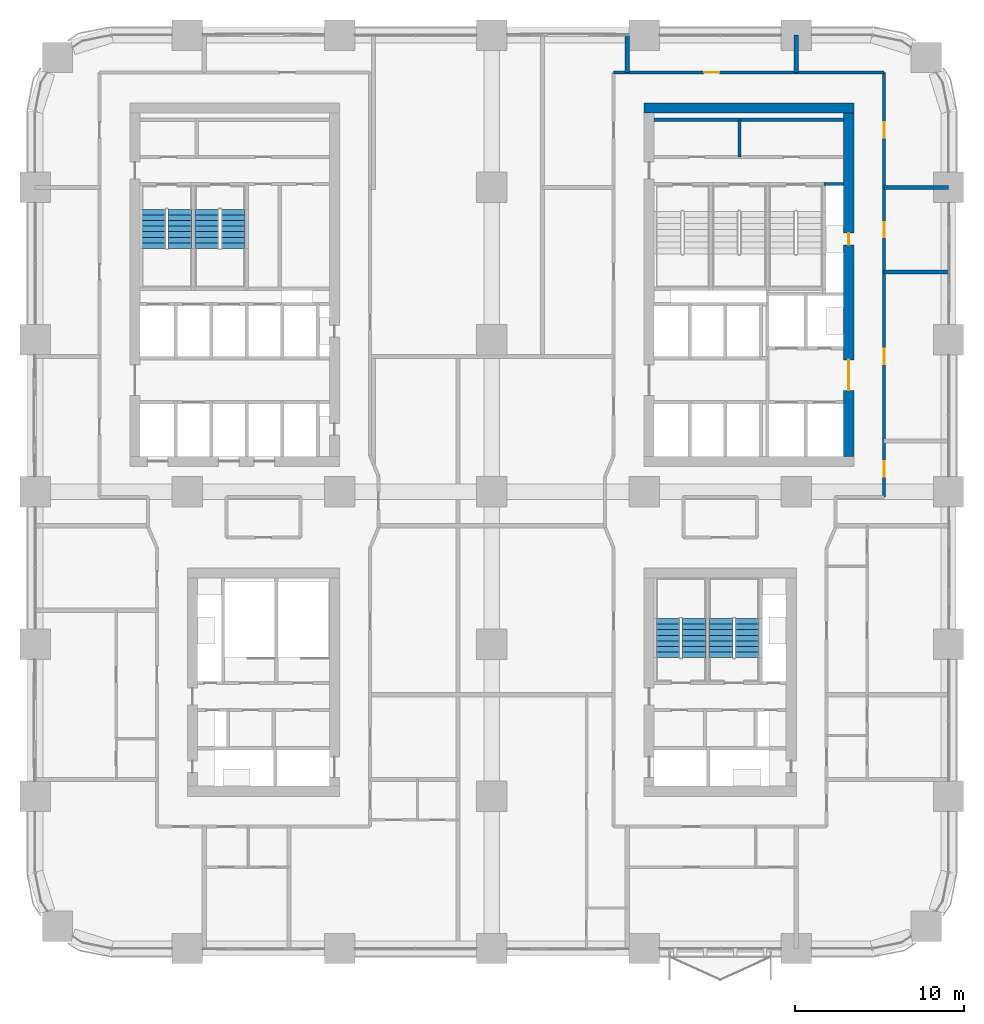
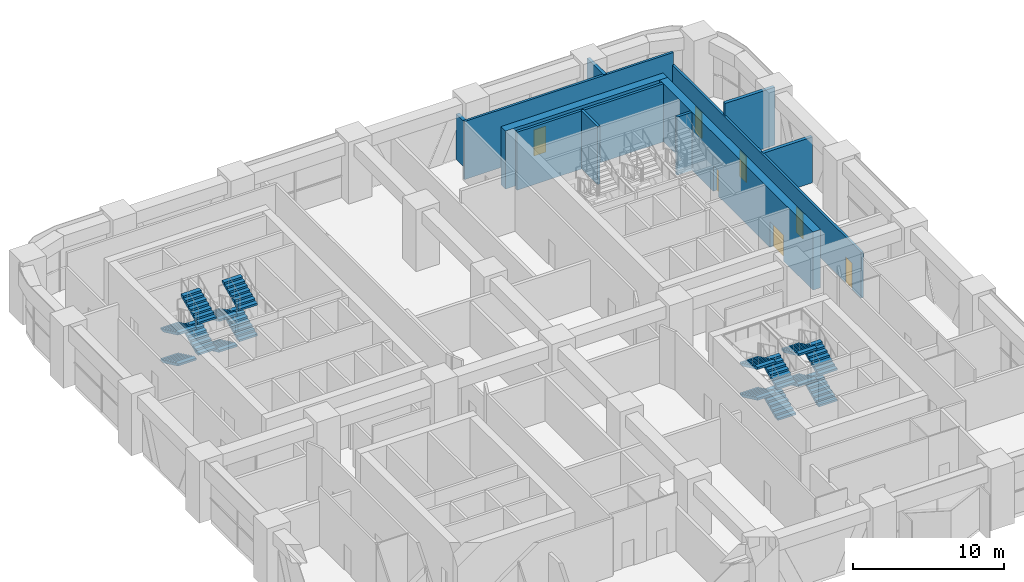
# One storey, part 21 of 26: 16 stair flights, 11 walls, 7 doors, 7 openings, 4 elements without a shape of their own.
"""IFC4 building model written with IfcOpenShell, lengths in metres."""

from ifc_helpers import new_model, si_unit, direction, frame, frame_2d, origin, place, context, subcontext, project, spatial, polyline, rectangle, outline, extrude, material, layer, layer_set, type_object, element, fill, aggregate, save


model = new_model("IFC4")

# Units and contexts
model_context = context("Model", 3, precision=1e-05, world=origin(), true_north=direction((0.0, 1.0)))
body_context = subcontext(model_context, "Body", "Model", "MODEL_VIEW")
ifc_project = project(units=[si_unit("LENGTHUNIT", "METRE"), si_unit("AREAUNIT", "SQUARE_METRE"), si_unit("VOLUMEUNIT", "CUBIC_METRE"), si_unit("PLANEANGLEUNIT", "RADIAN"), si_unit("MASSUNIT", "GRAM", prefix="KILO")], contexts=[model_context])

# Site, building, storey
site_placement = place(None, origin())
site = spatial("IfcSite", under=ifc_project, at=site_placement, CompositionType="ELEMENT")
building_placement = place(site_placement, origin())
building = spatial("IfcBuilding", under=site, at=building_placement, Name="Tessera Arch", CompositionType="ELEMENT")
storey_placement = place(building_placement, frame((0.0, 0.0, 72.800048828125)))
storey = spatial("IfcBuildingStorey", under=building, at=storey_placement, Name="L16", CompositionType="ELEMENT", Elevation=72.800048828125)

# Walls
ifc_material_1 = material(Name="Gypsum board on steel stud", Category="steel")
ifc_layer_1 = layer(ifc_material_1, 0.125)
ifc_layer_set_1 = layer_set([ifc_layer_1], Name="Core partition 125 EI 60")
wall_type_1 = type_object("IfcWallType", Name="Core partition 125 EI 60", PredefinedType="PARTITIONING", material=ifc_layer_set_1)
wall_1_placement = place(storey_placement, frame((41.639892578125, 46.800048828125, 0.0), z_axis=(0.0, 0.0, 1.0), x_axis=(0.0, 1.0, 0.0)))
element("IfcWall", 1, at=wall_1_placement, inside=storey, type_object=wall_type_1, Name="L16 C1 partition wall 8", PredefinedType="PARTITIONING", context=body_context, shape_type="SweptSolid", body=[
    extrude(rectangle(XDim=2.199951171875, YDim=0.199951171875, at=frame_2d((1.10009765625, 0.0))), origin(), (0.0, 0.0, 1.0), 4.699951171875),
])
wall_2_placement = place(storey_placement, frame((36.60009765625, 49.0, 0.0), z_axis=(0.0, 0.0, 1.0), x_axis=(1.0, 0.0, 0.0)))
element("IfcWall", 2, at=wall_2_placement, inside=storey, type_object=wall_type_1, Name="L16 C1 partition wall 39", PredefinedType="PARTITIONING", context=body_context, shape_type="SweptSolid", body=[
    extrude(rectangle(XDim=11.199951171875, YDim=0.199951171875, at=frame_2d((5.60009765625, 0.0))), origin(), (0.0, 0.0, 1.0), 4.699951171875),
])
ifc_material_2 = material(Name="Concrete C70/85", Category="concrete")
ifc_layer_2 = layer(ifc_material_2, 0.60009765625)
ifc_layer_set_2 = layer_set([ifc_layer_2], Name="Core shell wall 600 C70-85")
wall_type_2 = type_object("IfcWallType", Name="Core shell wall 600 C70-85", PredefinedType="SHEAR", material=ifc_layer_set_2)
wall_3_placement = place(storey_placement, frame((36.0, 49.699951171875, 0.0), z_axis=(0.0, 0.0, 1.0), x_axis=(1.0, 0.0, 0.0)))
element("IfcWall", 3, at=wall_3_placement, inside=storey, type_object=wall_type_2, Name="L16 C1 core wall N", PredefinedType="SHEAR", context=body_context, shape_type="SweptSolid", body=[
    extrude(rectangle(XDim=12.39990234375, YDim=0.60009765625, at=frame_2d((6.199951171875, 0.0))), origin(), (0.0, 0.0, 1.0), 4.699951171875),
])

# Wall, openings, doors
wall_4_placement = place(storey_placement, frame((48.10009765625, 29.10009765625, 0.0), z_axis=(0.0, 0.0, 1.0), x_axis=(0.0, 1.0, 0.0)))
wall_4 = element("IfcWall", 4, at=wall_4_placement, inside=storey, type_object=wall_type_2, Name="L16 C1 core wall E", PredefinedType="SHEAR", context=body_context, shape_type="SweptSolid", body=[
    extrude(rectangle(XDim=20.2998046875, YDim=0.60009765625, at=frame_2d((10.14990234375, 0.0))), origin(), (0.0, 0.0, 1.0), 4.699951171875),
])
opening_1_placement = place(wall_4_placement, frame((12.5, 0.0, 0.0)))
opening_1 = element("IfcOpeningElement", 5, at=opening_1_placement, cuts=wall_4, Name="Opening L16-C08", PredefinedType="OPENING", context=body_context, shape_type="SweptSolid", body=[
    extrude(rectangle(XDim=0.699951171875, YDim=2.10009765625, at=frame_2d((0.35009765625, 1.050048828125))), frame((0.0, 0.31005859375, 0.0), z_axis=(0.0, -1.0, 0.0), x_axis=(1.0, 0.0, 0.0)), (0.0, 0.0, 1.0), 0.6201171875),
])
opening_2_placement = place(wall_4_placement, frame((3.89990234375, 0.0, 0.0)))
opening_2 = element("IfcOpeningElement", 6, at=opening_2_placement, cuts=wall_4, Name="Opening L16-C09", PredefinedType="OPENING", context=body_context, shape_type="SweptSolid", body=[
    extrude(rectangle(XDim=1.800048828125, YDim=2.10009765625, at=frame_2d((0.89990234375, 1.050048828125))), frame((0.0, 0.31005859375, 0.0), z_axis=(0.0, -1.0, 0.0), x_axis=(1.0, 0.0, 0.0)), (0.0, 0.0, 1.0), 0.6201171875),
])
ifc_material_3 = material(Name="Glazed steel door leaf", Category="steel")
door_type_1 = type_object("IfcDoorType", Name="Lobby double door FD60 1800 x 2100", OperationType="DOUBLE_DOOR_SINGLE_SWING", PredefinedType="DOOR", material=ifc_material_3)
door_1_placement = place(opening_2_placement, origin())
door_1 = element("IfcDoor", 7, at=door_1_placement, inside=storey, type_object=door_type_1, Name="L16 C1 door 9 C09 type D19", OperationType="DOUBLE_DOOR_SINGLE_SWING", OverallHeight=2.10009765625, OverallWidth=1.800048828125, PredefinedType="DOOR", context=body_context, shape_type="SweptSolid", body=[
    extrude(rectangle(XDim=1.800048828125, YDim=2.10009765625, at=frame_2d((0.89990234375, 1.050048828125))), frame((0.0, 0.02490234375, 0.0), z_axis=(0.0, -1.0, 0.0), x_axis=(1.0, 0.0, 0.0)), (0.0, 0.0, 1.0), 0.050048828125),
])
fill(opening_2, door_1)
ifc_material_4 = material(Name="Steel door leaf", Category="steel")
door_type_2 = type_object("IfcDoorType", Name="Service shaft door FD60 700 x 2100", OperationType="SINGLE_SWING_LEFT", PredefinedType="DOOR", material=ifc_material_4)
door_2_placement = place(opening_1_placement, origin())
door_2 = element("IfcDoor", 8, at=door_2_placement, inside=storey, type_object=door_type_2, Name="L16 C1 door 8 C08 type D07", OperationType="SINGLE_SWING_RIGHT", OverallHeight=2.10009765625, OverallWidth=0.699951171875, PredefinedType="DOOR", context=body_context, shape_type="SweptSolid", body=[
    extrude(rectangle(XDim=0.699951171875, YDim=2.10009765625, at=frame_2d((0.35009765625, 1.050048828125))), frame((0.0, 0.02490234375, 0.0), z_axis=(0.0, -1.0, 0.0), x_axis=(1.0, 0.0, 0.0)), (0.0, 0.0, 1.0), 0.050048828125),
])
fill(opening_1, door_2)

# Wall, opening, door
ifc_material_5 = material(Name="Gypsum board on deep steel stud with mineral wool", Category="steel")
ifc_layer_3 = layer(ifc_material_5, 0.175048828125)
ifc_layer_set_3 = layer_set([ifc_layer_3], Name="Corridor wall 175 EI 60")
wall_type_3 = type_object("IfcWallType", Name="Corridor wall 175 EI 60", PredefinedType="PARTITIONING", material=ifc_layer_set_3)
wall_5_placement = place(storey_placement, frame((34.199951171875, 51.800048828125, 0.0), z_axis=(0.0, 0.0, 1.0), x_axis=(1.0, 0.0, 0.0)))
wall_5 = element("IfcWall", 9, at=wall_5_placement, inside=storey, type_object=wall_type_3, Name="L16 partition 10", PredefinedType="PARTITIONING", context=body_context, shape_type="SweptSolid", body=[
    extrude(rectangle(XDim=16.0, YDim=0.175048828125, at=frame_2d((8.0, 0.0))), origin(), (0.0, 0.0, 1.0), 4.699951171875),
])
opening_3_placement = place(wall_5_placement, frame((5.35009765625, 0.0, 0.0)))
opening_3 = element("IfcOpeningElement", 10, at=opening_3_placement, cuts=wall_5, Name="Opening L16-D043", PredefinedType="OPENING", context=body_context, shape_type="SweptSolid", body=[
    extrude(rectangle(XDim=0.89990234375, YDim=2.10009765625, at=frame_2d((0.449951171875, 1.050048828125))), frame((0.0, 0.097412109375, 0.0), z_axis=(0.0, -1.0, 0.0), x_axis=(1.0, 0.0, 0.0)), (0.0, 0.0, 1.0), 0.195068359375),
])
ifc_material_6 = material(Name="Timber door leaf", Category="wood")
door_type_3 = type_object("IfcDoorType", Name="Room door 900 x 2100", OperationType="SINGLE_SWING_LEFT", PredefinedType="DOOR", material=ifc_material_6)
door_3_placement = place(opening_3_placement, origin())
door_3 = element("IfcDoor", 11, at=door_3_placement, inside=storey, type_object=door_type_3, Name="L16 door D043 type D01", OperationType="SINGLE_SWING_LEFT", OverallHeight=2.10009765625, OverallWidth=0.89990234375, PredefinedType="DOOR", context=body_context, shape_type="SweptSolid", body=[
    extrude(rectangle(XDim=0.89990234375, YDim=2.10009765625, at=frame_2d((0.449951171875, 1.050048828125))), frame((0.0, 0.02490234375, 0.0), z_axis=(0.0, -1.0, 0.0), x_axis=(1.0, 0.0, 0.0)), (0.0, 0.0, 1.0), 0.050048828125),
])
fill(opening_3, door_3)

# Wall, openings, doors
wall_6_placement = place(storey_placement, frame((50.199951171875, 26.699951171875, 0.0), z_axis=(0.0, 0.0, 1.0), x_axis=(0.0, 1.0, 0.0)))
wall_6 = element("IfcWall", 12, at=wall_6_placement, inside=storey, type_object=wall_type_3, Name="L16 partition 26", PredefinedType="PARTITIONING", context=body_context, shape_type="SweptSolid", body=[
    extrude(rectangle(XDim=25.10009765625, YDim=0.175048828125, at=frame_2d((12.550048828125, 0.0))), origin(), (0.0, 0.0, 1.0), 3.699951171875),
])
opening_4_placement = place(wall_6_placement, frame((1.199951171875, 0.0, 0.0)))
opening_4 = element("IfcOpeningElement", 13, at=opening_4_placement, cuts=wall_6, Name="Opening L16-D030", PredefinedType="OPENING", context=body_context, shape_type="SweptSolid", body=[
    extrude(rectangle(XDim=0.89990234375, YDim=2.10009765625, at=frame_2d((0.449951171875, 1.050048828125))), frame((0.0, 0.097412109375, 0.0), z_axis=(0.0, -1.0, 0.0), x_axis=(1.0, 0.0, 0.0)), (0.0, 0.0, 1.0), 0.195068359375),
])
opening_5_placement = place(wall_6_placement, frame((7.85009765625, 0.0, 0.0)))
opening_5 = element("IfcOpeningElement", 14, at=opening_5_placement, cuts=wall_6, Name="Opening L16-D034", PredefinedType="OPENING", context=body_context, shape_type="SweptSolid", body=[
    extrude(rectangle(XDim=0.89990234375, YDim=2.10009765625, at=frame_2d((0.449951171875, 1.050048828125))), frame((0.0, 0.097412109375, 0.0), z_axis=(0.0, -1.0, 0.0), x_axis=(1.0, 0.0, 0.0)), (0.0, 0.0, 1.0), 0.195068359375),
])
opening_6_placement = place(wall_6_placement, frame((15.35009765625, 0.0, 0.0)))
opening_6 = element("IfcOpeningElement", 15, at=opening_6_placement, cuts=wall_6, Name="Opening L16-D037", PredefinedType="OPENING", context=body_context, shape_type="SweptSolid", body=[
    extrude(rectangle(XDim=0.89990234375, YDim=2.10009765625, at=frame_2d((0.449951171875, 1.050048828125))), frame((0.0, 0.097412109375, 0.0), z_axis=(0.0, -1.0, 0.0), x_axis=(1.0, 0.0, 0.0)), (0.0, 0.0, 1.0), 0.195068359375),
])
opening_7_placement = place(wall_6_placement, frame((21.25, 0.0, 0.0)))
opening_7 = element("IfcOpeningElement", 16, at=opening_7_placement, cuts=wall_6, Name="Opening L16-D040", PredefinedType="OPENING", context=body_context, shape_type="SweptSolid", body=[
    extrude(rectangle(XDim=0.89990234375, YDim=2.10009765625, at=frame_2d((0.449951171875, 1.050048828125))), frame((0.0, 0.097412109375, 0.0), z_axis=(0.0, -1.0, 0.0), x_axis=(1.0, 0.0, 0.0)), (0.0, 0.0, 1.0), 0.195068359375),
])
door_4_placement = place(opening_4_placement, origin())
door_4 = element("IfcDoor", 17, at=door_4_placement, inside=storey, type_object=door_type_3, Name="L16 door D030 type D01", OperationType="SINGLE_SWING_LEFT", OverallHeight=2.10009765625, OverallWidth=0.89990234375, PredefinedType="DOOR", context=body_context, shape_type="SweptSolid", body=[
    extrude(rectangle(XDim=0.89990234375, YDim=2.10009765625, at=frame_2d((0.449951171875, 1.050048828125))), frame((0.0, 0.02490234375, 0.0), z_axis=(0.0, -1.0, 0.0), x_axis=(1.0, 0.0, 0.0)), (0.0, 0.0, 1.0), 0.050048828125),
])
fill(opening_4, door_4)
door_5_placement = place(opening_5_placement, origin())
door_5 = element("IfcDoor", 18, at=door_5_placement, inside=storey, type_object=door_type_3, Name="L16 door D034 type D01", OperationType="SINGLE_SWING_LEFT", OverallHeight=2.10009765625, OverallWidth=0.89990234375, PredefinedType="DOOR", context=body_context, shape_type="SweptSolid", body=[
    extrude(rectangle(XDim=0.89990234375, YDim=2.10009765625, at=frame_2d((0.449951171875, 1.050048828125))), frame((0.0, 0.02490234375, 0.0), z_axis=(0.0, -1.0, 0.0), x_axis=(1.0, 0.0, 0.0)), (0.0, 0.0, 1.0), 0.050048828125),
])
fill(opening_5, door_5)
door_6_placement = place(opening_6_placement, origin())
door_6 = element("IfcDoor", 19, at=door_6_placement, inside=storey, type_object=door_type_3, Name="L16 door D037 type D01", OperationType="SINGLE_SWING_RIGHT", OverallHeight=2.10009765625, OverallWidth=0.89990234375, PredefinedType="DOOR", context=body_context, shape_type="SweptSolid", body=[
    extrude(rectangle(XDim=0.89990234375, YDim=2.10009765625, at=frame_2d((0.449951171875, 1.050048828125))), frame((0.0, 0.02490234375, 0.0), z_axis=(0.0, -1.0, 0.0), x_axis=(1.0, 0.0, 0.0)), (0.0, 0.0, 1.0), 0.050048828125),
])
fill(opening_6, door_6)
door_7_placement = place(opening_7_placement, origin())
door_7 = element("IfcDoor", 20, at=door_7_placement, inside=storey, type_object=door_type_3, Name="L16 door D040 type D01", OperationType="SINGLE_SWING_LEFT", OverallHeight=2.10009765625, OverallWidth=0.89990234375, PredefinedType="DOOR", context=body_context, shape_type="SweptSolid", body=[
    extrude(rectangle(XDim=0.89990234375, YDim=2.10009765625, at=frame_2d((0.449951171875, 1.050048828125))), frame((0.0, 0.02490234375, 0.0), z_axis=(0.0, -1.0, 0.0), x_axis=(1.0, 0.0, 0.0)), (0.0, 0.0, 1.0), 0.050048828125),
])
fill(opening_7, door_7)

# Walls
ifc_material_7 = material(Name="Double gypsum board on twin steel stud with acoustic mineral wool", Category="steel")
ifc_layer_4 = layer(ifc_material_7, 0.25)
ifc_layer_set_4 = layer_set([ifc_layer_4], Name="Party wall 250 EI 60")
wall_type_4 = type_object("IfcWallType", Name="Party wall 250 EI 60", PredefinedType="PARTITIONING", material=ifc_layer_set_4)
wall_7_placement = place(storey_placement, frame((50.199951171875, 40.0, 0.0), z_axis=(0.0, 0.0, 1.0), x_axis=(1.0, 0.0, 0.0)))
element("IfcWall", 21, at=wall_7_placement, inside=storey, type_object=wall_type_4, Name="L16 partition 46", PredefinedType="PARTITIONING", context=body_context, shape_type="SweptSolid", body=[
    extrude(rectangle(XDim=3.800048828125, YDim=0.25, at=frame_2d((1.89990234375, 0.0))), origin(), (0.0, 0.0, 1.0), 3.699951171875),
])
wall_8_placement = place(storey_placement, frame((50.199951171875, 45.0, 0.0), z_axis=(0.0, 0.0, 1.0), x_axis=(1.0, 0.0, 0.0)))
element("IfcWall", 22, at=wall_8_placement, inside=storey, type_object=wall_type_4, Name="L16 partition 50", PredefinedType="PARTITIONING", context=body_context, shape_type="SweptSolid", body=[
    extrude(rectangle(XDim=3.800048828125, YDim=0.25, at=frame_2d((1.89990234375, 0.0))), origin(), (0.0, 0.0, 1.0), 4.699951171875),
])
wall_9_placement = place(storey_placement, frame((35.0, 51.800048828125, 0.0), z_axis=(0.0, 0.0, 1.0), x_axis=(0.0, 1.0, 0.0)))
element("IfcWall", 23, at=wall_9_placement, inside=storey, type_object=wall_type_4, Name="L16 partition 59", PredefinedType="PARTITIONING", context=body_context, shape_type="SweptSolid", body=[
    extrude(rectangle(XDim=2.199951171875, YDim=0.25, at=frame_2d((1.10009765625, 0.0))), origin(), (0.0, 0.0, 1.0), 3.699951171875),
])
wall_10_placement = place(storey_placement, frame((45.0, 51.800048828125, 0.0), z_axis=(0.0, 0.0, 1.0), x_axis=(0.0, 1.0, 0.0)))
element("IfcWall", 24, at=wall_10_placement, inside=storey, type_object=wall_type_4, Name="L16 partition 61", PredefinedType="PARTITIONING", context=body_context, shape_type="SweptSolid", body=[
    extrude(rectangle(XDim=2.199951171875, YDim=0.25, at=frame_2d((1.10009765625, 0.0))), origin(), (0.0, 0.0, 1.0), 4.699951171875),
])
ifc_material_8 = material(Name="Concrete C40/50", Category="concrete")
ifc_layer_5 = layer(ifc_material_8, 0.199951171875)
ifc_layer_set_5 = layer_set([ifc_layer_5], Name="Shaft wall 200 EI 120")
wall_type_5 = type_object("IfcWallType", Name="Shaft wall 200 EI 120", PredefinedType="SOLIDWALL", material=ifc_layer_set_5)
wall_11_placement = place(storey_placement, frame((46.64990234375, 45.199951171875, 0.0), z_axis=(0.0, 0.0, 1.0), x_axis=(1.0, 0.0, 0.0)))
element("IfcWall", 25, at=wall_11_placement, inside=storey, type_object=wall_type_5, Name="L16 C1 shaft wall 32", PredefinedType="SOLIDWALL", context=body_context, shape_type="SweptSolid", body=[
    extrude(rectangle(XDim=1.150146484375, YDim=0.199951171875, at=frame_2d((0.5751953125, 0.0))), origin(), (0.0, 0.0, 1.0), 4.699951171875),
])

# Stair, stair flights
ifc_material_9 = material(Name="Concrete C40/50", Category="concrete")
stair_type = type_object("IfcStairType", Name="Dogleg stair 1400", PredefinedType="HALF_TURN_STAIR", material=ifc_material_9)
stair_1_placement = place(storey_placement, origin())
stair_1 = element("IfcStair", 26, at=stair_1_placement, inside=storey, type_object=stair_type, Name="L16 S2a", PredefinedType="HALF_TURN_STAIR")
ifc_material_10 = material(Name="Concrete C40/50", Category="concrete")
stair_flight_type = type_object("IfcStairFlightType", Name="Stair flight 1400", PredefinedType="STRAIGHT", material=ifc_material_10)
stair_flight_1_placement = place(storey_placement, frame((7.0, 43.699951171875, 0.0), z_axis=(0.0, 0.0, 1.0), x_axis=(0.0, -1.0, 0.0)))
stair_flight_1 = element("IfcStairFlight", 27, at=stair_flight_1_placement, type_object=stair_flight_type, Name="S2a flight 1", NumberOfRisers=8, NumberOfTreads=7, PredefinedType="STRAIGHT", RiserHeight=0.15625, TreadLength=0.33, context=body_context, shape_type="SweptSolid", body=[
    extrude(outline(polyline([(0.0, 0.0), (0.0, 0.15625), (0.330078125, 0.15625), (0.330078125, 0.3125), (0.659912109375, 0.3125), (0.659912109375, 0.46875), (0.989990234375, 0.46875), (0.989990234375, 0.625), (1.320068359375, 0.625), (1.320068359375, 0.78125), (1.64990234375, 0.78125), (1.64990234375, 0.9375), (1.97998046875, 0.9375), (1.97998046875, 1.09375), (2.31005859375, 1.09375), (2.31005859375, 1.25), (2.31005859375, 0.927978515625), (0.350341796875, 0.0), (0.0, 0.0)])), frame((0.0, 0.699951171875, 0.0), z_axis=(0.0, -1.0, 0.0), x_axis=(1.0, 0.0, 0.0)), (0.0, 0.0, 1.0), 1.39990234375),
])
stair_flight_2_placement = place(storey_placement, frame((8.550048828125, 41.389892578125, 1.25), z_axis=(0.0, 0.0, 1.0), x_axis=(0.0, 1.0, 0.0)))
stair_flight_2 = element("IfcStairFlight", 28, at=stair_flight_2_placement, type_object=stair_flight_type, Name="S2a flight 2", NumberOfRisers=8, NumberOfTreads=7, PredefinedType="STRAIGHT", RiserHeight=0.15625, TreadLength=0.33, context=body_context, shape_type="SweptSolid", body=[
    extrude(outline(polyline([(0.0, 0.0), (0.0, 0.15625), (0.330078125, 0.15625), (0.330078125, 0.3125), (0.659912109375, 0.3125), (0.659912109375, 0.46875), (0.989990234375, 0.46875), (0.989990234375, 0.625), (1.320068359375, 0.625), (1.320068359375, 0.78125), (1.64990234375, 0.78125), (1.64990234375, 0.9375), (1.97998046875, 0.9375), (1.97998046875, 1.09375), (2.31005859375, 1.09375), (2.31005859375, 1.25), (2.31005859375, 0.927978515625), (0.350341796875, 0.0), (0.0, 0.0)])), frame((0.0, 0.699951171875, 0.0), z_axis=(0.0, -1.0, 0.0), x_axis=(1.0, 0.0, 0.0)), (0.0, 0.0, 1.0), 1.39990234375),
])
stair_flight_3_placement = place(storey_placement, frame((7.0, 43.699951171875, 2.5), z_axis=(0.0, 0.0, 1.0), x_axis=(0.0, -1.0, 0.0)))
stair_flight_3 = element("IfcStairFlight", 29, at=stair_flight_3_placement, type_object=stair_flight_type, Name="S2a flight 3", NumberOfRisers=8, NumberOfTreads=7, PredefinedType="STRAIGHT", RiserHeight=0.15625, TreadLength=0.33, context=body_context, shape_type="SweptSolid", body=[
    extrude(outline(polyline([(0.0, 0.0), (0.0, 0.15625), (0.330078125, 0.15625), (0.330078125, 0.3125), (0.659912109375, 0.3125), (0.659912109375, 0.46875), (0.989990234375, 0.46875), (0.989990234375, 0.625), (1.320068359375, 0.625), (1.320068359375, 0.78125), (1.64990234375, 0.78125), (1.64990234375, 0.9375), (1.97998046875, 0.9375), (1.97998046875, 1.09375), (2.31005859375, 1.09375), (2.31005859375, 1.25), (2.31005859375, 0.927978515625), (0.350341796875, 0.0), (0.0, 0.0)])), frame((0.0, 0.699951171875, 0.0), z_axis=(0.0, -1.0, 0.0), x_axis=(1.0, 0.0, 0.0)), (0.0, 0.0, 1.0), 1.39990234375),
])
stair_flight_4_placement = place(storey_placement, frame((8.550048828125, 41.389892578125, 3.75), z_axis=(0.0, 0.0, 1.0), x_axis=(0.0, 1.0, 0.0)))
stair_flight_4 = element("IfcStairFlight", 30, at=stair_flight_4_placement, type_object=stair_flight_type, Name="S2a flight 4", NumberOfRisers=8, NumberOfTreads=7, PredefinedType="STRAIGHT", RiserHeight=0.15625, TreadLength=0.33, context=body_context, shape_type="SweptSolid", body=[
    extrude(outline(polyline([(0.0, 0.0), (0.0, 0.15625), (0.330078125, 0.15625), (0.330078125, 0.3125), (0.659912109375, 0.3125), (0.659912109375, 0.46875), (0.989990234375, 0.46875), (0.989990234375, 0.625), (1.320068359375, 0.625), (1.320068359375, 0.78125), (1.64990234375, 0.78125), (1.64990234375, 0.9375), (1.97998046875, 0.9375), (1.97998046875, 1.09375), (2.31005859375, 1.09375), (2.31005859375, 1.25), (2.31005859375, 0.927978515625), (0.350341796875, 0.0), (0.0, 0.0)])), frame((0.0, 0.699951171875, 0.0), z_axis=(0.0, -1.0, 0.0), x_axis=(1.0, 0.0, 0.0)), (0.0, 0.0, 1.0), 1.39990234375),
])
aggregate(stair_1, [stair_flight_1, stair_flight_2, stair_flight_3, stair_flight_4])

stair_2_placement = place(storey_placement, origin())
stair_2 = element("IfcStair", 31, at=stair_2_placement, inside=storey, type_object=stair_type, Name="L16 S2b", PredefinedType="HALF_TURN_STAIR")
stair_flight_5_placement = place(storey_placement, frame((10.14990234375, 43.699951171875, 0.0), z_axis=(0.0, 0.0, 1.0), x_axis=(0.0, -1.0, 0.0)))
stair_flight_5 = element("IfcStairFlight", 32, at=stair_flight_5_placement, type_object=stair_flight_type, Name="S2b flight 1", NumberOfRisers=8, NumberOfTreads=7, PredefinedType="STRAIGHT", RiserHeight=0.15625, TreadLength=0.33, context=body_context, shape_type="SweptSolid", body=[
    extrude(outline(polyline([(0.0, 0.0), (0.0, 0.15625), (0.330078125, 0.15625), (0.330078125, 0.3125), (0.659912109375, 0.3125), (0.659912109375, 0.46875), (0.989990234375, 0.46875), (0.989990234375, 0.625), (1.320068359375, 0.625), (1.320068359375, 0.78125), (1.64990234375, 0.78125), (1.64990234375, 0.9375), (1.97998046875, 0.9375), (1.97998046875, 1.09375), (2.31005859375, 1.09375), (2.31005859375, 1.25), (2.31005859375, 0.927978515625), (0.350341796875, 0.0), (0.0, 0.0)])), frame((0.0, 0.699951171875, 0.0), z_axis=(0.0, -1.0, 0.0), x_axis=(1.0, 0.0, 0.0)), (0.0, 0.0, 1.0), 1.39990234375),
])
stair_flight_6_placement = place(storey_placement, frame((11.699951171875, 41.389892578125, 1.25), z_axis=(0.0, 0.0, 1.0), x_axis=(0.0, 1.0, 0.0)))
stair_flight_6 = element("IfcStairFlight", 33, at=stair_flight_6_placement, type_object=stair_flight_type, Name="S2b flight 2", NumberOfRisers=8, NumberOfTreads=7, PredefinedType="STRAIGHT", RiserHeight=0.15625, TreadLength=0.33, context=body_context, shape_type="SweptSolid", body=[
    extrude(outline(polyline([(0.0, 0.0), (0.0, 0.15625), (0.330078125, 0.15625), (0.330078125, 0.3125), (0.659912109375, 0.3125), (0.659912109375, 0.46875), (0.989990234375, 0.46875), (0.989990234375, 0.625), (1.320068359375, 0.625), (1.320068359375, 0.78125), (1.64990234375, 0.78125), (1.64990234375, 0.9375), (1.97998046875, 0.9375), (1.97998046875, 1.09375), (2.31005859375, 1.09375), (2.31005859375, 1.25), (2.31005859375, 0.927978515625), (0.350341796875, 0.0), (0.0, 0.0)])), frame((0.0, 0.699951171875, 0.0), z_axis=(0.0, -1.0, 0.0), x_axis=(1.0, 0.0, 0.0)), (0.0, 0.0, 1.0), 1.39990234375),
])
stair_flight_7_placement = place(storey_placement, frame((10.14990234375, 43.699951171875, 2.5), z_axis=(0.0, 0.0, 1.0), x_axis=(0.0, -1.0, 0.0)))
stair_flight_7 = element("IfcStairFlight", 34, at=stair_flight_7_placement, type_object=stair_flight_type, Name="S2b flight 3", NumberOfRisers=8, NumberOfTreads=7, PredefinedType="STRAIGHT", RiserHeight=0.15625, TreadLength=0.33, context=body_context, shape_type="SweptSolid", body=[
    extrude(outline(polyline([(0.0, 0.0), (0.0, 0.15625), (0.330078125, 0.15625), (0.330078125, 0.3125), (0.659912109375, 0.3125), (0.659912109375, 0.46875), (0.989990234375, 0.46875), (0.989990234375, 0.625), (1.320068359375, 0.625), (1.320068359375, 0.78125), (1.64990234375, 0.78125), (1.64990234375, 0.9375), (1.97998046875, 0.9375), (1.97998046875, 1.09375), (2.31005859375, 1.09375), (2.31005859375, 1.25), (2.31005859375, 0.927978515625), (0.350341796875, 0.0), (0.0, 0.0)])), frame((0.0, 0.699951171875, 0.0), z_axis=(0.0, -1.0, 0.0), x_axis=(1.0, 0.0, 0.0)), (0.0, 0.0, 1.0), 1.39990234375),
])
stair_flight_8_placement = place(storey_placement, frame((11.699951171875, 41.389892578125, 3.75), z_axis=(0.0, 0.0, 1.0), x_axis=(0.0, 1.0, 0.0)))
stair_flight_8 = element("IfcStairFlight", 35, at=stair_flight_8_placement, type_object=stair_flight_type, Name="S2b flight 4", NumberOfRisers=8, NumberOfTreads=7, PredefinedType="STRAIGHT", RiserHeight=0.15625, TreadLength=0.33, context=body_context, shape_type="SweptSolid", body=[
    extrude(outline(polyline([(0.0, 0.0), (0.0, 0.15625), (0.330078125, 0.15625), (0.330078125, 0.3125), (0.659912109375, 0.3125), (0.659912109375, 0.46875), (0.989990234375, 0.46875), (0.989990234375, 0.625), (1.320068359375, 0.625), (1.320068359375, 0.78125), (1.64990234375, 0.78125), (1.64990234375, 0.9375), (1.97998046875, 0.9375), (1.97998046875, 1.09375), (2.31005859375, 1.09375), (2.31005859375, 1.25), (2.31005859375, 0.927978515625), (0.350341796875, 0.0), (0.0, 0.0)])), frame((0.0, 0.699951171875, 0.0), z_axis=(0.0, -1.0, 0.0), x_axis=(1.0, 0.0, 0.0)), (0.0, 0.0, 1.0), 1.39990234375),
])
aggregate(stair_2, [stair_flight_5, stair_flight_6, stair_flight_7, stair_flight_8])

stair_3_placement = place(storey_placement, origin())
stair_3 = element("IfcStair", 36, at=stair_3_placement, inside=storey, type_object=stair_type, Name="L16 S3a", PredefinedType="HALF_TURN_STAIR")
stair_flight_9_placement = place(storey_placement, frame((38.949951171875, 17.199951171875, 0.0), z_axis=(0.0, 0.0, 1.0), x_axis=(0.0, 1.0, 0.0)))
stair_flight_9 = element("IfcStairFlight", 37, at=stair_flight_9_placement, type_object=stair_flight_type, Name="S3a flight 1", NumberOfRisers=8, NumberOfTreads=7, PredefinedType="STRAIGHT", RiserHeight=0.15625, TreadLength=0.33, context=body_context, shape_type="SweptSolid", body=[
    extrude(outline(polyline([(0.0, 0.0), (0.0, 0.15625), (0.330078125, 0.15625), (0.330078125, 0.3125), (0.659912109375, 0.3125), (0.659912109375, 0.46875), (0.989990234375, 0.46875), (0.989990234375, 0.625), (1.320068359375, 0.625), (1.320068359375, 0.78125), (1.64990234375, 0.78125), (1.64990234375, 0.9375), (1.97998046875, 0.9375), (1.97998046875, 1.09375), (2.31005859375, 1.09375), (2.31005859375, 1.25), (2.31005859375, 0.927978515625), (0.350341796875, 0.0), (0.0, 0.0)])), frame((0.0, 0.699951171875, 0.0), z_axis=(0.0, -1.0, 0.0), x_axis=(1.0, 0.0, 0.0)), (0.0, 0.0, 1.0), 1.39990234375),
])
stair_flight_10_placement = place(storey_placement, frame((37.39990234375, 19.510009765625, 1.25), z_axis=(0.0, 0.0, 1.0), x_axis=(0.0, -1.0, 0.0)))
stair_flight_10 = element("IfcStairFlight", 38, at=stair_flight_10_placement, type_object=stair_flight_type, Name="S3a flight 2", NumberOfRisers=8, NumberOfTreads=7, PredefinedType="STRAIGHT", RiserHeight=0.15625, TreadLength=0.33, context=body_context, shape_type="SweptSolid", body=[
    extrude(outline(polyline([(0.0, 0.0), (0.0, 0.15625), (0.330078125, 0.15625), (0.330078125, 0.3125), (0.659912109375, 0.3125), (0.659912109375, 0.46875), (0.989990234375, 0.46875), (0.989990234375, 0.625), (1.320068359375, 0.625), (1.320068359375, 0.78125), (1.64990234375, 0.78125), (1.64990234375, 0.9375), (1.97998046875, 0.9375), (1.97998046875, 1.09375), (2.31005859375, 1.09375), (2.31005859375, 1.25), (2.31005859375, 0.927978515625), (0.350341796875, 0.0), (0.0, 0.0)])), frame((0.0, 0.699951171875, 0.0), z_axis=(0.0, -1.0, 0.0), x_axis=(1.0, 0.0, 0.0)), (0.0, 0.0, 1.0), 1.39990234375),
])
stair_flight_11_placement = place(storey_placement, frame((38.949951171875, 17.199951171875, 2.5), z_axis=(0.0, 0.0, 1.0), x_axis=(0.0, 1.0, 0.0)))
stair_flight_11 = element("IfcStairFlight", 39, at=stair_flight_11_placement, type_object=stair_flight_type, Name="S3a flight 3", NumberOfRisers=8, NumberOfTreads=7, PredefinedType="STRAIGHT", RiserHeight=0.15625, TreadLength=0.33, context=body_context, shape_type="SweptSolid", body=[
    extrude(outline(polyline([(0.0, 0.0), (0.0, 0.15625), (0.330078125, 0.15625), (0.330078125, 0.3125), (0.659912109375, 0.3125), (0.659912109375, 0.46875), (0.989990234375, 0.46875), (0.989990234375, 0.625), (1.320068359375, 0.625), (1.320068359375, 0.78125), (1.64990234375, 0.78125), (1.64990234375, 0.9375), (1.97998046875, 0.9375), (1.97998046875, 1.09375), (2.31005859375, 1.09375), (2.31005859375, 1.25), (2.31005859375, 0.927978515625), (0.350341796875, 0.0), (0.0, 0.0)])), frame((0.0, 0.699951171875, 0.0), z_axis=(0.0, -1.0, 0.0), x_axis=(1.0, 0.0, 0.0)), (0.0, 0.0, 1.0), 1.39990234375),
])
stair_flight_12_placement = place(storey_placement, frame((37.39990234375, 19.510009765625, 3.75), z_axis=(0.0, 0.0, 1.0), x_axis=(0.0, -1.0, 0.0)))
stair_flight_12 = element("IfcStairFlight", 40, at=stair_flight_12_placement, type_object=stair_flight_type, Name="S3a flight 4", NumberOfRisers=8, NumberOfTreads=7, PredefinedType="STRAIGHT", RiserHeight=0.15625, TreadLength=0.33, context=body_context, shape_type="SweptSolid", body=[
    extrude(outline(polyline([(0.0, 0.0), (0.0, 0.15625), (0.330078125, 0.15625), (0.330078125, 0.3125), (0.659912109375, 0.3125), (0.659912109375, 0.46875), (0.989990234375, 0.46875), (0.989990234375, 0.625), (1.320068359375, 0.625), (1.320068359375, 0.78125), (1.64990234375, 0.78125), (1.64990234375, 0.9375), (1.97998046875, 0.9375), (1.97998046875, 1.09375), (2.31005859375, 1.09375), (2.31005859375, 1.25), (2.31005859375, 0.927978515625), (0.350341796875, 0.0), (0.0, 0.0)])), frame((0.0, 0.699951171875, 0.0), z_axis=(0.0, -1.0, 0.0), x_axis=(1.0, 0.0, 0.0)), (0.0, 0.0, 1.0), 1.39990234375),
])
aggregate(stair_3, [stair_flight_9, stair_flight_10, stair_flight_11, stair_flight_12])

stair_4_placement = place(storey_placement, origin())
stair_4 = element("IfcStair", 41, at=stair_4_placement, inside=storey, type_object=stair_type, Name="L16 S3b", PredefinedType="HALF_TURN_STAIR")
stair_flight_13_placement = place(storey_placement, frame((42.10009765625, 17.199951171875, 0.0), z_axis=(0.0, 0.0, 1.0), x_axis=(0.0, 1.0, 0.0)))
stair_flight_13 = element("IfcStairFlight", 42, at=stair_flight_13_placement, type_object=stair_flight_type, Name="S3b flight 1", NumberOfRisers=8, NumberOfTreads=7, PredefinedType="STRAIGHT", RiserHeight=0.15625, TreadLength=0.33, context=body_context, shape_type="SweptSolid", body=[
    extrude(outline(polyline([(0.0, 0.0), (0.0, 0.15625), (0.330078125, 0.15625), (0.330078125, 0.3125), (0.659912109375, 0.3125), (0.659912109375, 0.46875), (0.989990234375, 0.46875), (0.989990234375, 0.625), (1.320068359375, 0.625), (1.320068359375, 0.78125), (1.64990234375, 0.78125), (1.64990234375, 0.9375), (1.97998046875, 0.9375), (1.97998046875, 1.09375), (2.31005859375, 1.09375), (2.31005859375, 1.25), (2.31005859375, 0.927978515625), (0.350341796875, 0.0), (0.0, 0.0)])), frame((0.0, 0.699951171875, 0.0), z_axis=(0.0, -1.0, 0.0), x_axis=(1.0, 0.0, 0.0)), (0.0, 0.0, 1.0), 1.39990234375),
])
stair_flight_14_placement = place(storey_placement, frame((40.550048828125, 19.510009765625, 1.25), z_axis=(0.0, 0.0, 1.0), x_axis=(0.0, -1.0, 0.0)))
stair_flight_14 = element("IfcStairFlight", 43, at=stair_flight_14_placement, type_object=stair_flight_type, Name="S3b flight 2", NumberOfRisers=8, NumberOfTreads=7, PredefinedType="STRAIGHT", RiserHeight=0.15625, TreadLength=0.33, context=body_context, shape_type="SweptSolid", body=[
    extrude(outline(polyline([(0.0, 0.0), (0.0, 0.15625), (0.330078125, 0.15625), (0.330078125, 0.3125), (0.659912109375, 0.3125), (0.659912109375, 0.46875), (0.989990234375, 0.46875), (0.989990234375, 0.625), (1.320068359375, 0.625), (1.320068359375, 0.78125), (1.64990234375, 0.78125), (1.64990234375, 0.9375), (1.97998046875, 0.9375), (1.97998046875, 1.09375), (2.31005859375, 1.09375), (2.31005859375, 1.25), (2.31005859375, 0.927978515625), (0.350341796875, 0.0), (0.0, 0.0)])), frame((0.0, 0.699951171875, 0.0), z_axis=(0.0, -1.0, 0.0), x_axis=(1.0, 0.0, 0.0)), (0.0, 0.0, 1.0), 1.39990234375),
])
stair_flight_15_placement = place(storey_placement, frame((42.10009765625, 17.199951171875, 2.5), z_axis=(0.0, 0.0, 1.0), x_axis=(0.0, 1.0, 0.0)))
stair_flight_15 = element("IfcStairFlight", 44, at=stair_flight_15_placement, type_object=stair_flight_type, Name="S3b flight 3", NumberOfRisers=8, NumberOfTreads=7, PredefinedType="STRAIGHT", RiserHeight=0.15625, TreadLength=0.33, context=body_context, shape_type="SweptSolid", body=[
    extrude(outline(polyline([(0.0, 0.0), (0.0, 0.15625), (0.330078125, 0.15625), (0.330078125, 0.3125), (0.659912109375, 0.3125), (0.659912109375, 0.46875), (0.989990234375, 0.46875), (0.989990234375, 0.625), (1.320068359375, 0.625), (1.320068359375, 0.78125), (1.64990234375, 0.78125), (1.64990234375, 0.9375), (1.97998046875, 0.9375), (1.97998046875, 1.09375), (2.31005859375, 1.09375), (2.31005859375, 1.25), (2.31005859375, 0.927978515625), (0.350341796875, 0.0), (0.0, 0.0)])), frame((0.0, 0.699951171875, 0.0), z_axis=(0.0, -1.0, 0.0), x_axis=(1.0, 0.0, 0.0)), (0.0, 0.0, 1.0), 1.39990234375),
])
stair_flight_16_placement = place(storey_placement, frame((40.550048828125, 19.510009765625, 3.75), z_axis=(0.0, 0.0, 1.0), x_axis=(0.0, -1.0, 0.0)))
stair_flight_16 = element("IfcStairFlight", 45, at=stair_flight_16_placement, type_object=stair_flight_type, Name="S3b flight 4", NumberOfRisers=8, NumberOfTreads=7, PredefinedType="STRAIGHT", RiserHeight=0.15625, TreadLength=0.33, context=body_context, shape_type="SweptSolid", body=[
    extrude(outline(polyline([(0.0, 0.0), (0.0, 0.15625), (0.330078125, 0.15625), (0.330078125, 0.3125), (0.659912109375, 0.3125), (0.659912109375, 0.46875), (0.989990234375, 0.46875), (0.989990234375, 0.625), (1.320068359375, 0.625), (1.320068359375, 0.78125), (1.64990234375, 0.78125), (1.64990234375, 0.9375), (1.97998046875, 0.9375), (1.97998046875, 1.09375), (2.31005859375, 1.09375), (2.31005859375, 1.25), (2.31005859375, 0.927978515625), (0.350341796875, 0.0), (0.0, 0.0)])), frame((0.0, 0.699951171875, 0.0), z_axis=(0.0, -1.0, 0.0), x_axis=(1.0, 0.0, 0.0)), (0.0, 0.0, 1.0), 1.39990234375),
])
aggregate(stair_4, [stair_flight_13, stair_flight_14, stair_flight_15, stair_flight_16])

save(model, "model.ifc")
